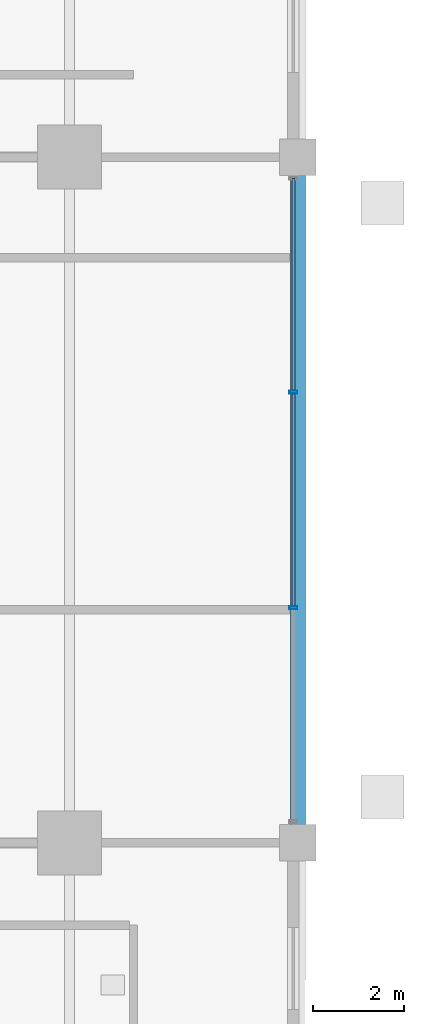
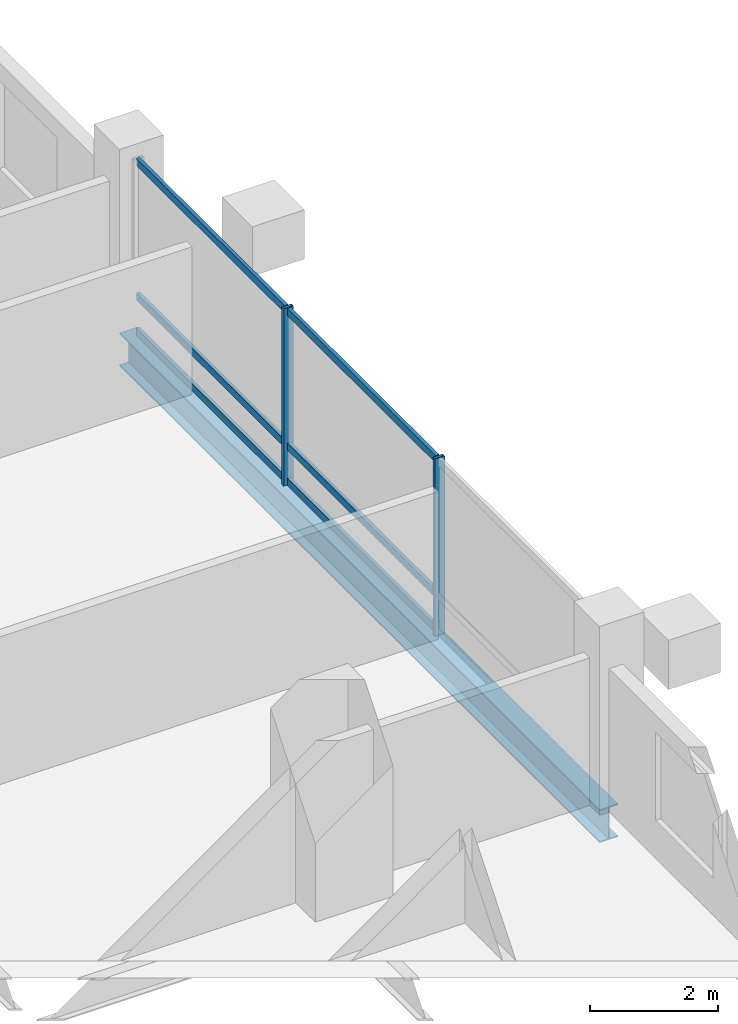
# One storey, part 10 of 21: 8 members, 1 beam, 1 element without a shape of its own.
"""IFC4 building model written with IfcOpenShell, lengths in metres."""

from ifc_helpers import new_model, si_unit, direction, frame, origin, origin_2d, place, context, subcontext, project, spatial, hollow_rectangle, i_section, extrude, material, layer, layer_set, material_profile, profile_set, type_object, element, aggregate, save


model = new_model("IFC4")

# Units and contexts
model_context = context("Model", 3, precision=1e-05, world=origin(), true_north=direction((0.0, 1.0)))
body_context = subcontext(model_context, "Body", "Model", "MODEL_VIEW")
ifc_project = project(units=[si_unit("LENGTHUNIT", "METRE"), si_unit("AREAUNIT", "SQUARE_METRE"), si_unit("VOLUMEUNIT", "CUBIC_METRE"), si_unit("PLANEANGLEUNIT", "RADIAN"), si_unit("MASSUNIT", "GRAM", prefix="KILO")], contexts=[model_context])

# Site, building, storey
site_placement = place(None, origin())
site = spatial("IfcSite", under=ifc_project, at=site_placement, CompositionType="ELEMENT")
building_placement = place(site_placement, origin())
building = spatial("IfcBuilding", under=site, at=building_placement, Name="Barlavira Tower and Art Museum", CompositionType="ELEMENT")
storey_placement = place(building_placement, frame((0.0, 0.0, 86.39990234375)))
storey = spatial("IfcBuildingStorey", under=building, at=storey_placement, Name="L21", CompositionType="ELEMENT", Elevation=86.39990234375)

# Curtain wall, members
ifc_material_1 = material(Name="Low-iron coastal laminated glass", Category="glass")
ifc_layer = layer(ifc_material_1, 0.179931640625, Name="Low-iron coastal laminated glass")
ifc_layer_set = layer_set([ifc_layer], Name="Low-iron coastal laminated glass")
curtain_wall_type = type_object("IfcCurtainWallType", Name="Pale-Metal Unitised Curtain Wall Zone 1", PredefinedType="NOTDEFINED", material=ifc_layer_set)
curtain_wall_placement = place(storey_placement, origin())
curtain_wall = element("IfcCurtainWall", 1, at=curtain_wall_placement, inside=storey, type_object=curtain_wall_type, Name="L21 Curtain Wall CW1-L21-E-B3", PredefinedType="NOTDEFINED")
ifc_material_2 = material(Name="Pale anodised aluminium", Category="aluminium")
ifc_material_profile_1 = material_profile(ifc_material_2, hollow_rectangle(XDim=0.06494140625, YDim=0.179931640625, WallThickness=0.00390625, at=origin_2d()), Name="ALU-MULL 65x180x4")
ifc_profile_set_1 = profile_set([ifc_material_profile_1], Name="Pale anodised aluminium")
member_type_1 = type_object("IfcMemberType", Name="Curtain Wall Pale-Metal Mullion 65x180", PredefinedType="MULLION", material=ifc_profile_set_1)
member_1_placement = place(storey_placement, frame((21.89990234375, -2.360107421875, 0.0), z_axis=(0.0, 0.0, 1.0), x_axis=(0.0, 1.0, 0.0)))
member_1 = element("IfcMember", 2, at=member_1_placement, type_object=member_type_1, Name="CW1-L21-E-B3 Mullion 1", PredefinedType="MULLION", context=body_context, shape_type="SweptSolid", body=[
    extrude(hollow_rectangle(XDim=0.06494140625, YDim=0.179931640625, WallThickness=0.00390625, at=origin_2d()), origin(), (0.0, 0.0, 1.0), 3.380126953125),
])
member_2_placement = place(storey_placement, frame((21.89990234375, 2.360107421875, 0.0), z_axis=(0.0, 0.0, 1.0), x_axis=(0.0, 1.0, 0.0)))
member_2 = element("IfcMember", 3, at=member_2_placement, type_object=member_type_1, Name="CW1-L21-E-B3 Mullion 2", PredefinedType="MULLION", context=body_context, shape_type="SweptSolid", body=[
    extrude(hollow_rectangle(XDim=0.06494140625, YDim=0.179931640625, WallThickness=0.00390625, at=origin_2d()), origin(), (0.0, 0.0, 1.0), 3.380126953125),
])
ifc_material_profile_2 = material_profile(ifc_material_2, hollow_rectangle(XDim=0.06494140625, YDim=0.139892578125, WallThickness=0.00390625, at=origin_2d()), Name="ALU-TRAN 65x140x4")
ifc_profile_set_2 = profile_set([ifc_material_profile_2], Name="Pale anodised aluminium")
member_type_2 = type_object("IfcMemberType", Name="Curtain Wall Pale-Metal Transom 65x140", PredefinedType="USERDEFINED", material=ifc_profile_set_2)
member_3_placement = place(storey_placement, frame((21.89990234375, -2.31494140625, 0.070068359375), z_axis=(0.0, 1.0, 0.0), x_axis=(-1.0, 0.0, 0.0)))
member_3 = element("IfcMember", 4, at=member_3_placement, type_object=member_type_2, Name="CW1-L21-E-B3 Transom 1.1", ObjectType="TRANSOM", PredefinedType="USERDEFINED", context=body_context, shape_type="SweptSolid", body=[
    extrude(hollow_rectangle(XDim=0.06494140625, YDim=0.139892578125, WallThickness=0.00390625, at=origin_2d()), origin(), (0.0, 0.0, 1.0), 4.6298828125),
])
member_4_placement = place(storey_placement, frame((21.89990234375, -2.31494140625, 0.744140625), z_axis=(0.0, 1.0, 0.0), x_axis=(-1.0, 0.0, 0.0)))
member_4 = element("IfcMember", 5, at=member_4_placement, type_object=member_type_2, Name="CW1-L21-E-B3 Transom 1.2", ObjectType="TRANSOM", PredefinedType="USERDEFINED", context=body_context, shape_type="SweptSolid", body=[
    extrude(hollow_rectangle(XDim=0.06494140625, YDim=0.139892578125, WallThickness=0.00390625, at=origin_2d()), origin(), (0.0, 0.0, 1.0), 4.6298828125),
])
member_5_placement = place(storey_placement, frame((21.89990234375, -2.31494140625, 3.31005859375), z_axis=(0.0, 1.0, 0.0), x_axis=(-1.0, 0.0, 0.0)))
member_5 = element("IfcMember", 6, at=member_5_placement, type_object=member_type_2, Name="CW1-L21-E-B3 Transom 1.3", ObjectType="TRANSOM", PredefinedType="USERDEFINED", context=body_context, shape_type="SweptSolid", body=[
    extrude(hollow_rectangle(XDim=0.06494140625, YDim=0.139892578125, WallThickness=0.00390625, at=origin_2d()), origin(), (0.0, 0.0, 1.0), 4.6298828125),
])
member_6_placement = place(storey_placement, frame((21.89990234375, 2.405029296875, 0.070068359375), z_axis=(0.0, 1.0, 0.0), x_axis=(-1.0, 0.0, 0.0)))
member_6 = element("IfcMember", 7, at=member_6_placement, type_object=member_type_2, Name="CW1-L21-E-B3 Transom 2.1", ObjectType="TRANSOM", PredefinedType="USERDEFINED", context=body_context, shape_type="SweptSolid", body=[
    extrude(hollow_rectangle(XDim=0.06494140625, YDim=0.139892578125, WallThickness=0.00390625, at=origin_2d()), origin(), (0.0, 0.0, 1.0), 4.6298828125),
])
member_7_placement = place(storey_placement, frame((21.89990234375, 2.405029296875, 0.744140625), z_axis=(0.0, 1.0, 0.0), x_axis=(-1.0, 0.0, 0.0)))
member_7 = element("IfcMember", 8, at=member_7_placement, type_object=member_type_2, Name="CW1-L21-E-B3 Transom 2.2", ObjectType="TRANSOM", PredefinedType="USERDEFINED", context=body_context, shape_type="SweptSolid", body=[
    extrude(hollow_rectangle(XDim=0.06494140625, YDim=0.139892578125, WallThickness=0.00390625, at=origin_2d()), origin(), (0.0, 0.0, 1.0), 4.6298828125),
])
member_8_placement = place(storey_placement, frame((21.89990234375, 2.405029296875, 3.31005859375), z_axis=(0.0, 1.0, 0.0), x_axis=(-1.0, 0.0, 0.0)))
member_8 = element("IfcMember", 9, at=member_8_placement, type_object=member_type_2, Name="CW1-L21-E-B3 Transom 2.3", ObjectType="TRANSOM", PredefinedType="USERDEFINED", context=body_context, shape_type="SweptSolid", body=[
    extrude(hollow_rectangle(XDim=0.06494140625, YDim=0.139892578125, WallThickness=0.00390625, at=origin_2d()), origin(), (0.0, 0.0, 1.0), 4.6298828125),
])
aggregate(curtain_wall, [member_1, member_2, member_3, member_4, member_5, member_6, member_7, member_8])

# Beam
ifc_material_3 = material(Name="Steel S355", Category="steel")
ifc_material_profile_3 = material_profile(ifc_material_3, i_section(OverallWidth=0.327880859375, OverallDepth=0.62890625, WebThickness=0.013916015625, FlangeThickness=0.021484375, at=origin_2d()), Name="W610x174.0")
ifc_profile_set_3 = profile_set([ifc_material_profile_3], Name="Steel S355")
beam_type = type_object("IfcBeamType", Name="Perimeter Spandrel Edge Beam W610x174 Steel S355", PredefinedType="SPANDREL", material=ifc_profile_set_3)
beam_placement = place(storey_placement, frame((22.0, -7.5, -0.534423828125), z_axis=(0.0, 1.0, 0.0), x_axis=(-1.0, 0.0, 0.0)))
element("IfcBeam", 10, at=beam_placement, inside=storey, type_object=beam_type, Name="L21 Spandrel 6", PredefinedType="SPANDREL", context=body_context, shape_type="SweptSolid", body=[
    extrude(i_section(OverallWidth=0.327880859375, OverallDepth=0.62890625, WebThickness=0.013916015625, FlangeThickness=0.021484375, at=origin_2d()), origin(), (0.0, 0.0, 1.0), 15.0),
])

save(model, "model.ifc")
